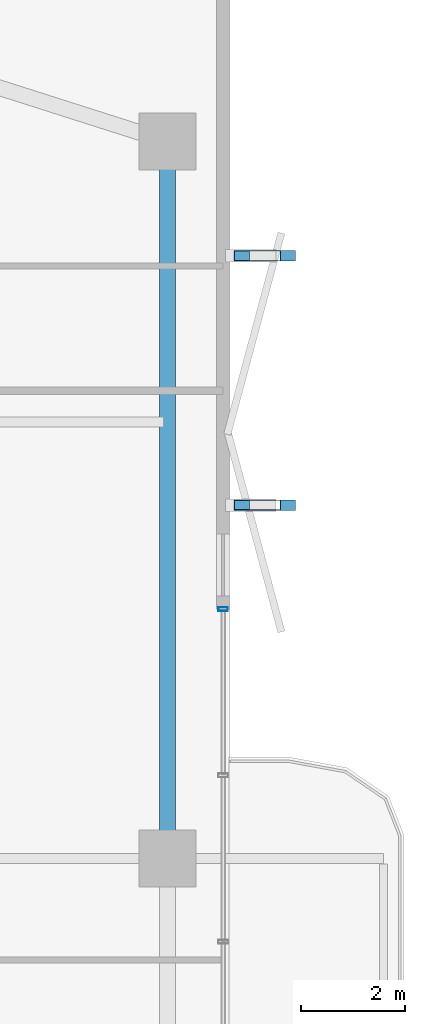
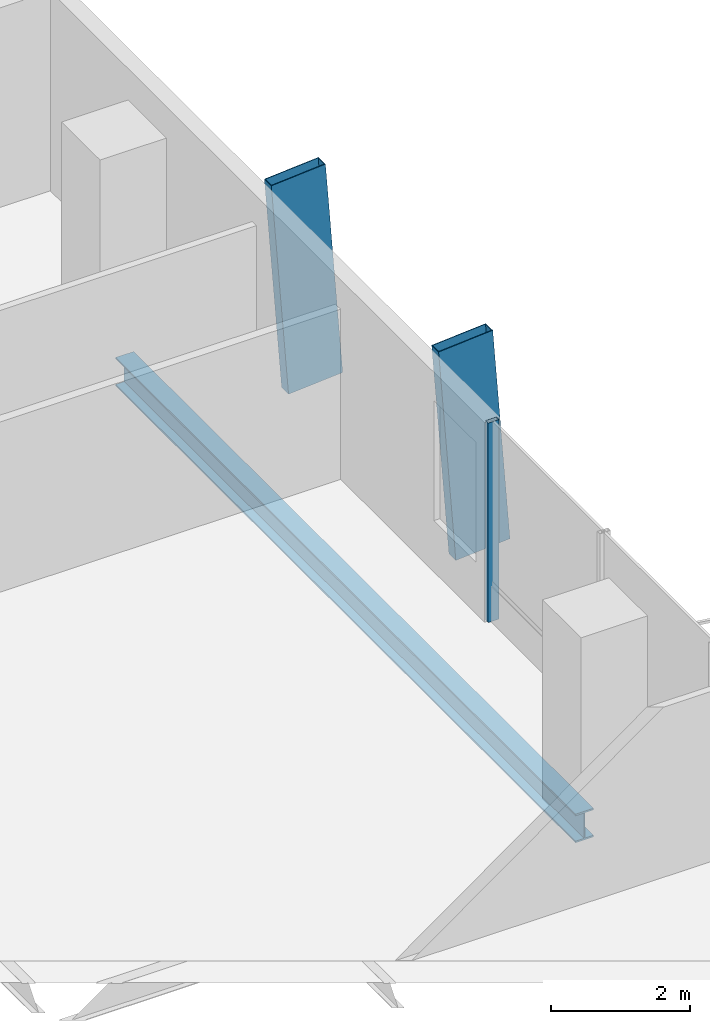
# One storey, part 16 of 25: 3 members, 1 beam, 1 element without a shape of its own.
"""IFC4 building model written with IfcOpenShell, lengths in metres."""

import ifcopenshell
import ifcopenshell.guid

model = None  # the IFC model being written
_history = None  # IfcOwnerHistory: only IFC2X3 demands one
_inside = {}  # id of a spatial element -> (the spatial element, [elements in it])
_under = {}  # id of a project, library or spatial element -> (it, [spatial elements below it])
_declared = {}  # id of a project -> (the project, [libraries it declares])
_typed = {}  # id of a type object -> (the type object, [elements of that type])
_made_of = {}  # id of a material, layer set ... -> (it, [elements and type objects made of it])


def new_model(schema):
    """Start an empty IFC model of exactly this schema.

    Asked for "IFC4X3", IfcOpenShell would pick the latest addendum, in which some entities
    have other attributes; the version numbers below select the first issue.
    IFC2X3 requires an IfcOwnerHistory on every rooted entity: one is made here for all.
    """
    global model, _history
    if schema == "IFC4X3":
        model = ifcopenshell.file(schema_version=(4, 3, 0, 0))
    else:
        model = ifcopenshell.file(schema=schema)
    _inside.clear()
    _under.clear()
    _declared.clear()
    _typed.clear()
    _made_of.clear()
    _history = None
    if model.schema == "IFC2X3":
        org = make("IfcOrganization", Name="unknown")
        user = make(
            "IfcPersonAndOrganization",
            ThePerson=make("IfcPerson", FamilyName="unknown"),
            TheOrganization=org,
        )
        app = make(
            "IfcApplication",
            ApplicationDeveloper=org,
            Version="unknown",
            ApplicationFullName="unknown",
            ApplicationIdentifier="unknown",
        )
        _history = make(
            "IfcOwnerHistory",
            OwningUser=user,
            OwningApplication=app,
            ChangeAction="ADDED",
            CreationDate=0,
        )
    return model


def make(cls, **values):
    """One entity of the class cls with the attributes given. An attribute that is None is left unset."""
    return model.create_entity(
        cls, **{name: value for name, value in values.items() if value is not None}
    )


def rooted(cls, **values):
    """An entity with a GlobalId (a new one), such as an element, a storey or a relation."""
    return make(cls, GlobalId=ifcopenshell.guid.new(), OwnerHistory=_history, **values)


def si_unit(unit_type, name, prefix=None):
    """IfcSIUnit, for example si_unit("LENGTHUNIT", "METRE", prefix="MILLI")."""
    return make("IfcSIUnit", UnitType=unit_type, Prefix=prefix, Name=name)


def assignment(units):
    """IfcUnitAssignment: the units of a project."""
    return None if units is None else make("IfcUnitAssignment", Units=units)


def point(xyz):
    """IfcCartesianPoint."""
    return None if xyz is None else make("IfcCartesianPoint", Coordinates=xyz)


def direction(xyz):
    """IfcDirection."""
    return None if xyz is None else make("IfcDirection", DirectionRatios=xyz)


def frame(location, z_axis=None, x_axis=None):
    """IfcAxis2Placement3D, a coordinate frame: its origin and axes. An axis left out is left unset."""
    return make(
        "IfcAxis2Placement3D",
        Location=point(location),
        Axis=direction(z_axis),
        RefDirection=direction(x_axis),
    )


def frame_2d(location, x_axis=None):
    """IfcAxis2Placement2D, a coordinate frame in the plane: its origin and x axis."""
    return make(
        "IfcAxis2Placement2D", Location=point(location), RefDirection=direction(x_axis)
    )


def origin():
    """The frame at (0, 0, 0) with its axes left unset."""
    return frame((0.0, 0.0, 0.0))


def origin_2d():
    """The frame at (0, 0) in the plane with its x axis left unset."""
    return frame_2d((0.0, 0.0))


def place(relative_to, where):
    """IfcLocalPlacement: puts the frame where relative to a parent placement (None: the world)."""
    return make(
        "IfcLocalPlacement", PlacementRelTo=relative_to, RelativePlacement=where
    )


def context(
    kind, dimensions, precision=None, world=None, true_north=None, identifier=None
):
    """IfcGeometricRepresentationContext, for example the 3D "Model" context."""
    return make(
        "IfcGeometricRepresentationContext",
        ContextIdentifier=identifier,
        ContextType=kind,
        CoordinateSpaceDimension=dimensions,
        Precision=precision,
        WorldCoordinateSystem=world,
        TrueNorth=true_north,
    )


def subcontext(parent, identifier, kind, view, scale=None):
    """IfcGeometricRepresentationSubContext, for example "Body" below "Model"."""
    return make(
        "IfcGeometricRepresentationSubContext",
        ContextIdentifier=identifier,
        ContextType=kind,
        ParentContext=parent,
        TargetScale=scale,
        TargetView=view,
    )


def project(units=None, contexts=None):
    """IfcProject with its units and contexts."""
    return rooted(
        "IfcProject",
        Name="project",
        RepresentationContexts=contexts,
        UnitsInContext=assignment(units),
    )


def spatial(cls, under=None, at=None, **own):
    """A site, building, storey or space (cls), placed at a placement, below another one or the project."""
    s = rooted(cls, ObjectPlacement=at, **own)
    if under is not None:
        _under.setdefault(under.id(), (under, []))[1].append(s)
    return s


def profile(cls, at=None, kind="AREA", **sizes):
    """A parametric profile (cls). Its sizes go by their IFC names, for example OverallWidth=200.0."""
    return make(cls, ProfileType=kind, Position=at, **sizes)


def hollow_rectangle(**sizes):
    """IfcRectangleHollowProfileDef."""
    return profile("IfcRectangleHollowProfileDef", **sizes)


def i_section(**sizes):
    """IfcIShapeProfileDef."""
    return profile("IfcIShapeProfileDef", **sizes)


def extrude(swept, where, along, depth):
    """IfcExtrudedAreaSolid: the profile swept, set in the frame where, extruded along a direction by depth."""
    return make(
        "IfcExtrudedAreaSolid",
        SweptArea=swept,
        Position=where,
        ExtrudedDirection=direction(along),
        Depth=depth,
    )


def shape(context_of_items, identifier, shape_type, items):
    """IfcShapeRepresentation: the items that make up one representation, for example the "Body"."""
    return make(
        "IfcShapeRepresentation",
        ContextOfItems=context_of_items,
        RepresentationIdentifier=identifier,
        RepresentationType=shape_type,
        Items=items,
    )


def material(Name=None, Category=None):
    """IfcMaterial."""
    return make("IfcMaterial", Name=Name, Category=Category)


def layer(
    of_material, thickness, ventilated=None, Name=None, Category=None, Priority=None
):
    """IfcMaterialLayer: one layer of a wall or slab, of a material (None: an air gap)."""
    return make(
        "IfcMaterialLayer",
        Material=of_material,
        LayerThickness=thickness,
        IsVentilated=ventilated,
        Name=Name,
        Category=Category,
        Priority=Priority,
    )


def layer_set(layers, Name=None):
    """IfcMaterialLayerSet."""
    return make("IfcMaterialLayerSet", MaterialLayers=layers, LayerSetName=Name)


def material_profile(
    of_material, cross_section, Name=None, Category=None, Priority=None
):
    """IfcMaterialProfile: a cross section and its material."""
    return make(
        "IfcMaterialProfile",
        Name=Name,
        Material=of_material,
        Profile=cross_section,
        Priority=Priority,
        Category=Category,
    )


def profile_set(profiles, Name=None, composite=None):
    """IfcMaterialProfileSet."""
    return make(
        "IfcMaterialProfileSet",
        Name=Name,
        MaterialProfiles=profiles,
        CompositeProfile=composite,
    )


def made_of(thing, what):
    """Note that an element or type object is made of a material, layer set ...; save() writes the relation."""
    if what is not None:
        _made_of.setdefault(what.id(), (what, []))[1].append(thing)
    return thing


def type_object(cls, material=None, **own):
    """A type object (cls), such as IfcWallType, which elements share."""
    return made_of(rooted(cls, **own), material)


def element(
    cls,
    number,
    at=None,
    inside=None,
    cuts=None,
    type_object=None,
    material=None,
    context=None,
    identifier="Body",
    shape_type=None,
    held_by="IfcProductDefinitionShape",
    body=None,
    shapes=None,
    **own,
):
    """One element of the class cls, such as IfcWall. Its Tag is "e" and its number.

    at: its placement. inside: the storey or other place that contains it. cuts: it is an
    opening in that element (IfcRelVoidsElement). A single representation is given by context,
    identifier, shape_type and body (its items); several are given by shapes. held_by: the class
    of the entity that holds the representations. save() writes the other relations.
    """
    e = rooted(cls, Tag="e%d" % number, ObjectPlacement=at, **own)
    if body is not None:
        shapes = [shape(context, identifier, shape_type, body)]
    if shapes is not None:
        e.Representation = make(held_by, Representations=shapes)
    if inside is not None:
        _inside.setdefault(inside.id(), (inside, []))[1].append(e)
    if cuts is not None:
        rooted(
            "IfcRelVoidsElement", RelatingBuildingElement=cuts, RelatedOpeningElement=e
        )
    if type_object is not None:
        _typed.setdefault(type_object.id(), (type_object, []))[1].append(e)
    return made_of(e, material)


def aggregate(whole, parts):
    """IfcRelAggregates: a whole, such as a stair, and the parts it consists of."""
    return rooted("IfcRelAggregates", RelatingObject=whole, RelatedObjects=parts)


def save(model, path):
    """Write the relations noted so far, then the file.

    IfcRelAggregates (storeys below a building ...), IfcRelContainedInSpatialStructure (elements
    in a storey), IfcRelDefinesByType, IfcRelAssociatesMaterial and IfcRelDeclares: one each for
    every whole, place, type object, material and project.
    """
    for whole, parts in _under.values():
        aggregate(whole, parts)
    for where, things in _inside.values():
        rooted(
            "IfcRelContainedInSpatialStructure",
            RelatedElements=things,
            RelatingStructure=where,
        )
    for kind, things in _typed.values():
        rooted("IfcRelDefinesByType", RelatedObjects=things, RelatingType=kind)
    for what, things in _made_of.values():
        rooted("IfcRelAssociatesMaterial", RelatedObjects=things, RelatingMaterial=what)
    for by, libraries in _declared.values():
        rooted("IfcRelDeclares", RelatingContext=by, RelatedDefinitions=libraries)
    model.write(path)


model = new_model("IFC4")

# Units and contexts
model_context = context("Model", 3, precision=1e-05, world=origin(), true_north=direction((0.0, 1.0)))
body_context = subcontext(model_context, "Body", "Model", "MODEL_VIEW")
ifc_project = project(units=[si_unit("LENGTHUNIT", "METRE"), si_unit("AREAUNIT", "SQUARE_METRE"), si_unit("VOLUMEUNIT", "CUBIC_METRE"), si_unit("PLANEANGLEUNIT", "RADIAN"), si_unit("MASSUNIT", "GRAM", prefix="KILO")], contexts=[model_context])

# Site, building, storey
site_placement = place(None, origin())
site = spatial("IfcSite", under=ifc_project, at=site_placement, CompositionType="ELEMENT")
building_placement = place(site_placement, origin())
building = spatial("IfcBuilding", under=site, at=building_placement, Name="Belovzor Exchange Tower", CompositionType="ELEMENT")
storey_placement = place(building_placement, frame((0.0, 0.0, 183.300048828125)))
storey = spatial("IfcBuildingStorey", under=building, at=storey_placement, Name="L45", CompositionType="ELEMENT", Elevation=183.300048828125)

# Members
ifc_material_1 = material(Name="Extruded Architectural Terracotta on Steel S355 Carrier", Category="masonry")
ifc_material_profile_1 = material_profile(ifc_material_1, hollow_rectangle(XDim=0.199951171875, YDim=0.89990234375, WallThickness=0.011962890625, at=origin_2d()))
ifc_profile_set_1 = profile_set([ifc_material_profile_1], Name="Extruded Architectural Terracotta on Steel S355 Carrier")
member_type_1 = type_object("IfcMemberType", Name="Sweeping Terracotta Baguette Fin Assembly 1250", PredefinedType="USERDEFINED", material=ifc_profile_set_1)
for number, where, z_axis, x_axis, name in (
    (1, (53.910888671875, 35.60009765625, -0.255126953125), (-0.076016392655, 0.0, 0.99710656805), (0.0, -1.0, 0.0), "FIN-TC125 Terracotta Facade Fin L45 E3"),
    (2, (53.910888671875, 40.39990234375, -0.255126953125), (-0.076016392655, 0.0, 0.99710656805), (0.0, -1.0, 0.0), "FIN-TC125 Terracotta Facade Fin L45 E4"),
):
    element("IfcMember", number, at=place(storey_placement, frame(where, z_axis=z_axis, x_axis=x_axis)), inside=storey, type_object=member_type_1, Name=name, ObjectType="FIN", PredefinedType="USERDEFINED", context=body_context, shape_type="SweptSolid", body=[
        extrude(hollow_rectangle(XDim=0.199951171875, YDim=0.89990234375, WallThickness=0.011962890625, at=origin_2d()), origin(), (0.0, 0.0, 1.0), 3.760986328125),
    ])

# Curtain wall, member
ifc_material_2 = material(Name="Anodised Aluminium Framing", Category="aluminium")
ifc_layer = layer(ifc_material_2, 0.179931640625)
ifc_layer_set = layer_set([ifc_layer], Name="Anodised Aluminium Framing")
curtain_wall_type = type_object("IfcCurtainWallType", Name="Recessed Loggia Low-Iron Triple-Glazed Curtain Wall", PredefinedType="NOTDEFINED", material=ifc_layer_set)
curtain_wall_placement = place(storey_placement, origin())
curtain_wall = element("IfcCurtainWall", 3, at=curtain_wall_placement, inside=storey, type_object=curtain_wall_type, Name="CW3 Recessed Loggia Low-Iron Triple-Glazed Curtain Wall L45", PredefinedType="NOTDEFINED")
ifc_material_3 = material(Name="Steel S355", Category="steel")
ifc_material_profile_2 = material_profile(ifc_material_3, hollow_rectangle(XDim=0.074951171875, YDim=0.179931640625, WallThickness=0.0048828125, at=origin_2d()))
ifc_profile_set_2 = profile_set([ifc_material_profile_2], Name="Steel S355")
member_type_2 = type_object("IfcMemberType", Name="Thermally Broken Curtain Wall Mullion 180x75", PredefinedType="MULLION", material=ifc_profile_set_2)
member_placement = place(storey_placement, frame((52.969970703125, 33.60009765625, 0.0), z_axis=(0.0, 0.0, 1.0), x_axis=(0.0, -1.0, 0.0)))
member = element("IfcMember", 4, at=member_placement, type_object=member_type_2, Name="CW-M180 Curtain Wall Mullion 1", PredefinedType="MULLION", context=body_context, shape_type="SweptSolid", body=[
    extrude(hollow_rectangle(XDim=0.074951171875, YDim=0.179931640625, WallThickness=0.0048828125, at=origin_2d()), origin(), (0.0, 0.0, 1.0), 3.494873046875),
])
aggregate(curtain_wall, [member])

# Beam
ifc_material_4 = material(Name="Steel S355", Category="steel")
ifc_material_profile_3 = material_profile(ifc_material_4, i_section(OverallWidth=0.300048828125, OverallDepth=0.5, WebThickness=0.014404296875, FlangeThickness=0.028076171875, at=origin_2d()))
ifc_profile_set_3 = profile_set([ifc_material_profile_3], Name="Steel S355")
beam_type = type_object("IfcBeamType", Name="Zone 3 Waist Primary Girder HEB 500", PredefinedType="BEAM", material=ifc_profile_set_3)
beam_placement = place(storey_placement, frame((51.89990234375, 29.10205078125, -0.505126953125), z_axis=(0.0, 1.0, 0.0), x_axis=(-1.0, 0.0, 0.0)))
element("IfcBeam", 5, at=beam_placement, inside=storey, type_object=beam_type, Name="FG-Z3 Zone 3 Waist Primary Girder HEB 500", PredefinedType="BEAM", context=body_context, shape_type="SweptSolid", body=[
    extrude(i_section(OverallWidth=0.300048828125, OverallDepth=0.5, WebThickness=0.014404296875, FlangeThickness=0.028076171875, at=origin_2d()), origin(), (0.0, 0.0, 1.0), 13.195068359375),
])

save(model, "model.ifc")
